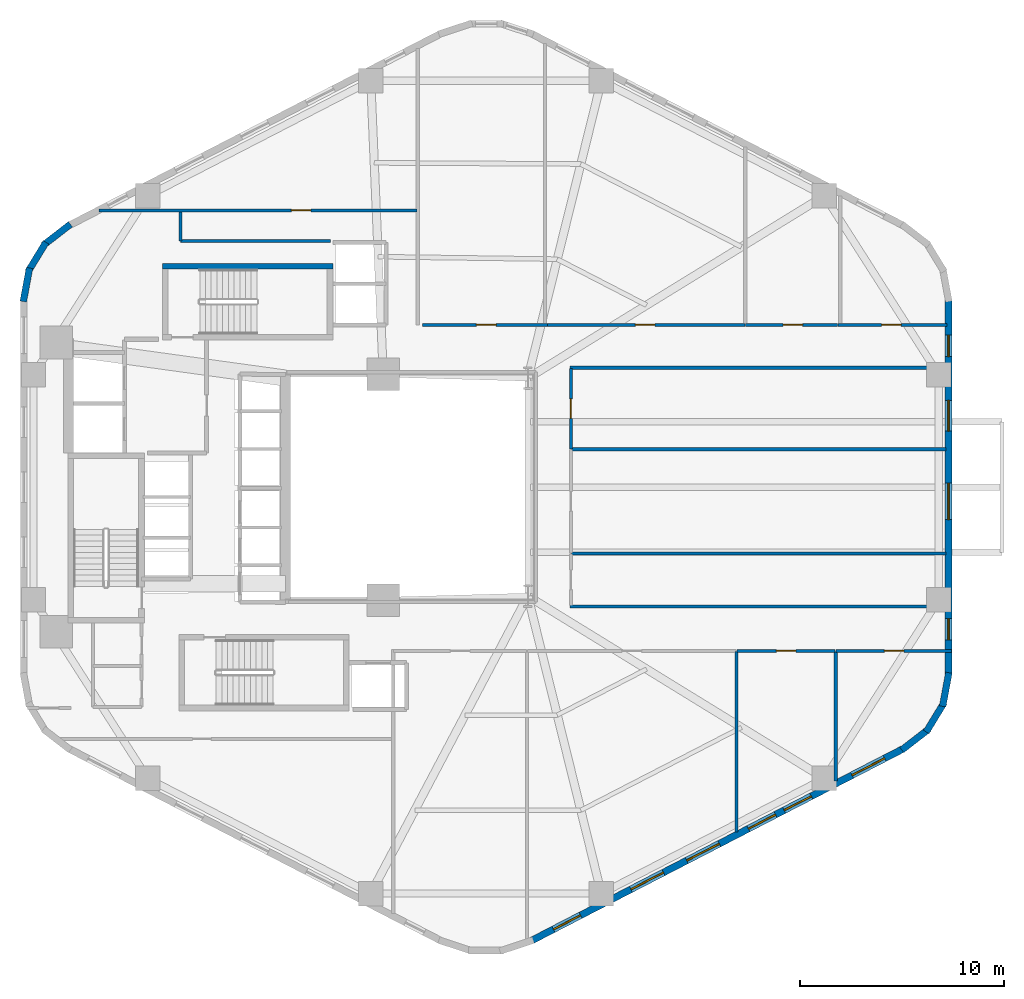
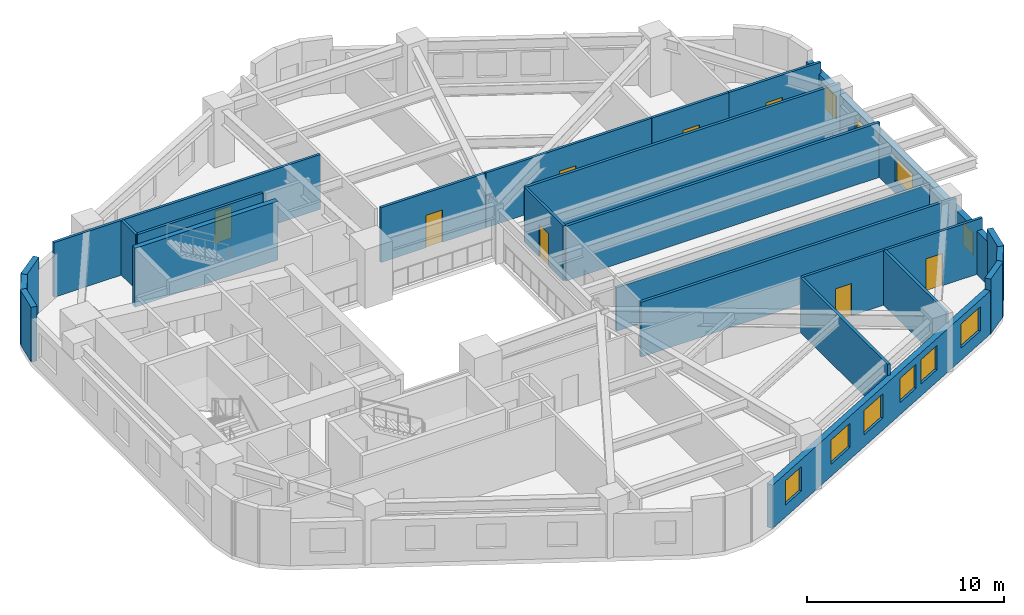
# One storey, part 4 of 6: 25 walls, 10 windows, 8 doors, 18 openings.
"""IFC4 building model written with IfcOpenShell, lengths in metres."""

from ifc_helpers import new_model, si_unit, direction, frame, frame_2d, origin, place, context, subcontext, project, spatial, rectangle, extrude, material, layer, layer_set, type_object, element, fill, save


model = new_model("IFC4")

# Units and contexts
model_context = context("Model", 3, precision=1e-05, world=origin(), true_north=direction((0.0, 1.0)))
body_context = subcontext(model_context, "Body", "Model", "MODEL_VIEW")
ifc_project = project(units=[si_unit("LENGTHUNIT", "METRE"), si_unit("AREAUNIT", "SQUARE_METRE"), si_unit("VOLUMEUNIT", "CUBIC_METRE"), si_unit("PLANEANGLEUNIT", "RADIAN"), si_unit("MASSUNIT", "GRAM", prefix="KILO"), si_unit("THERMODYNAMICTEMPERATUREUNIT", "KELVIN"), si_unit("POWERUNIT", "WATT")], contexts=[model_context])

# Site, building, storey
site_placement = place(None, origin())
site = spatial("IfcSite", under=ifc_project, at=site_placement, CompositionType="ELEMENT")
building_placement = place(site_placement, origin())
building = spatial("IfcBuilding", under=site, at=building_placement, Name="Skarre Station Tower", CompositionType="ELEMENT")
storey_placement = place(building_placement, frame((0.0, 0.0, 67.14990234375)))
storey = spatial("IfcBuildingStorey", under=building, at=storey_placement, Name="L17", CompositionType="ELEMENT", Elevation=67.14990234375)

# Wall, opening, door
ifc_material_1 = material(Name="Acoustic Steel-Stud Gypsum Partition", Category="steel")
ifc_layer_1 = layer(ifc_material_1, 0.14990234375, Name="Acoustic Steel-Stud Gypsum Partition")
ifc_layer_set_1 = layer_set([ifc_layer_1], Name="Acoustic Steel-Stud Gypsum Partition")
wall_type_1 = type_object("IfcWallType", Name="Fire-Rated Corridor Acoustic Partition 150", PredefinedType="PARTITIONING", material=ifc_layer_set_1)
wall_1_placement = place(storey_placement, frame((34.0, 37.580078125, 0.0), z_axis=(0.0, 0.0, 1.0), x_axis=(-1.0, 0.0, 0.0)))
wall_1 = element("IfcWall", 1, at=wall_1_placement, inside=storey, type_object=wall_type_1, Name="L17 Interior Partition WL-PT-L17-NWW1-CW", PredefinedType="PARTITIONING", context=body_context, shape_type="SweptSolid", body=[
    extrude(rectangle(XDim=15.60009765625, YDim=0.14990234375, at=frame_2d((7.800048828125, 0.0))), origin(), (0.0, 0.0, 1.0), 3.39013671875),
])
opening_1_placement = place(wall_1_placement, frame((5.195068359375, 0.0, 0.0)))
opening_1 = element("IfcOpeningElement", 2, at=opening_1_placement, cuts=wall_1, Name="Opening DR-FD60", PredefinedType="OPENING", context=body_context, shape_type="SweptSolid", body=[
    extrude(rectangle(XDim=0.9599609375, YDim=2.0, at=frame_2d((0.47998046875, 1.0))), frame((0.0, 0.0849609375, 0.0), z_axis=(0.0, -1.0, 0.0), x_axis=(1.0, 0.0, 0.0)), (0.0, 0.0, 1.0), 0.169921875),
])
ifc_material_2 = material(Name="Nordic White-Oak Veneer Solid-Core Fire Leaf", Category="wood")
door_type = type_object("IfcDoorType", Name="Corridor Suite Entry Fire Door FD60 960x2150", OperationType="SINGLE_SWING_LEFT", PredefinedType="DOOR", material=ifc_material_2)
door_1_placement = place(opening_1_placement, origin())
door_1 = element("IfcDoor", 3, at=door_1_placement, inside=storey, type_object=door_type, Name="L17 NWW1 Entry Door", OperationType="SINGLE_SWING_LEFT", OverallHeight=2.0, OverallWidth=0.9599609375, PredefinedType="DOOR", context=body_context, shape_type="SweptSolid", body=[
    extrude(rectangle(XDim=0.9599609375, YDim=2.0, at=frame_2d((0.47998046875, 1.0))), frame((0.0, 0.02490234375, 0.0), z_axis=(0.0, -1.0, 0.0), x_axis=(1.0, 0.0, 0.0)), (0.0, 0.0, 1.0), 0.050048828125),
])
fill(opening_1, door_1)

wall_2_placement = place(storey_placement, frame((40.412109375, 31.9599609375, 0.0), z_axis=(0.0, 0.0, 1.0), x_axis=(-1.0, 0.0, 0.0)))
wall_2 = element("IfcWall", 4, at=wall_2_placement, inside=storey, type_object=wall_type_1, Name="L17 Interior Partition WL-PT-L17-NW1-CW", PredefinedType="PARTITIONING", context=body_context, shape_type="SweptSolid", body=[
    extrude(rectangle(XDim=6.1220703125, YDim=0.14990234375, at=frame_2d((3.06103515625, 0.0))), origin(), (0.0, 0.0, 1.0), 3.39013671875),
])
opening_2_placement = place(wall_2_placement, frame((2.52392578125, 0.0, 0.0)))
opening_2 = element("IfcOpeningElement", 5, at=opening_2_placement, cuts=wall_2, Name="Opening DR-FD60", PredefinedType="OPENING", context=body_context, shape_type="SweptSolid", body=[
    extrude(rectangle(XDim=0.9599609375, YDim=2.0, at=frame_2d((0.47998046875, 1.0))), frame((0.0, 0.0849609375, 0.0), z_axis=(0.0, -1.0, 0.0), x_axis=(1.0, 0.0, 0.0)), (0.0, 0.0, 1.0), 0.169921875),
])
door_2_placement = place(opening_2_placement, origin())
door_2 = element("IfcDoor", 6, at=door_2_placement, inside=storey, type_object=door_type, Name="L17 NW1 Entry Door", OperationType="SINGLE_SWING_LEFT", OverallHeight=2.0, OverallWidth=0.9599609375, PredefinedType="DOOR", context=body_context, shape_type="SweptSolid", body=[
    extrude(rectangle(XDim=0.9599609375, YDim=2.0, at=frame_2d((0.47998046875, 1.0))), frame((0.0, 0.02490234375, 0.0), z_axis=(0.0, -1.0, 0.0), x_axis=(1.0, 0.0, 0.0)), (0.0, 0.0, 1.0), 0.050048828125),
])
fill(opening_2, door_2)

wall_3_placement = place(storey_placement, frame((50.111083984375, 31.9599609375, 0.0), z_axis=(0.0, 0.0, 1.0), x_axis=(-1.0, 0.0, 0.0)))
wall_3 = element("IfcWall", 7, at=wall_3_placement, inside=storey, type_object=wall_type_1, Name="L17 Interior Partition WL-PT-L17-NW2-CW", PredefinedType="PARTITIONING", context=body_context, shape_type="SweptSolid", body=[
    extrude(rectangle(XDim=9.68896484375, YDim=0.14990234375, at=frame_2d((4.844482421875, 0.0))), origin(), (0.0, 0.0, 1.0), 3.39013671875),
])
opening_3_placement = place(wall_3_placement, frame((4.422119140625, 0.0, 0.0)))
opening_3 = element("IfcOpeningElement", 8, at=opening_3_placement, cuts=wall_3, Name="Opening DR-FD60", PredefinedType="OPENING", context=body_context, shape_type="SweptSolid", body=[
    extrude(rectangle(XDim=0.9599609375, YDim=2.0, at=frame_2d((0.47998046875, 1.0))), frame((0.0, 0.0849609375, 0.0), z_axis=(0.0, -1.0, 0.0), x_axis=(1.0, 0.0, 0.0)), (0.0, 0.0, 1.0), 0.169921875),
])
door_3_placement = place(opening_3_placement, origin())
door_3 = element("IfcDoor", 9, at=door_3_placement, inside=storey, type_object=door_type, Name="L17 NW2 Entry Door", OperationType="SINGLE_SWING_LEFT", OverallHeight=2.0, OverallWidth=0.9599609375, PredefinedType="DOOR", context=body_context, shape_type="SweptSolid", body=[
    extrude(rectangle(XDim=0.9599609375, YDim=2.0, at=frame_2d((0.47998046875, 1.0))), frame((0.0, 0.02490234375, 0.0), z_axis=(0.0, -1.0, 0.0), x_axis=(1.0, 0.0, 0.0)), (0.0, 0.0, 1.0), 0.050048828125),
])
fill(opening_3, door_3)

wall_4_placement = place(storey_placement, frame((54.656005859375, 31.9599609375, 0.0), z_axis=(0.0, 0.0, 1.0), x_axis=(-1.0, 0.0, 0.0)))
wall_4 = element("IfcWall", 10, at=wall_4_placement, inside=storey, type_object=wall_type_1, Name="L17 Interior Partition WL-PT-L17-NW3-CW", PredefinedType="PARTITIONING", context=body_context, shape_type="SweptSolid", body=[
    extrude(rectangle(XDim=4.512939453125, YDim=0.14990234375, at=frame_2d((2.25634765625, 0.0))), origin(), (0.0, 0.0, 1.0), 3.39013671875),
])
opening_4_placement = place(wall_4_placement, frame((1.719970703125, 0.0, 0.0)))
opening_4 = element("IfcOpeningElement", 11, at=opening_4_placement, cuts=wall_4, Name="Opening DR-FD60", PredefinedType="OPENING", context=body_context, shape_type="SweptSolid", body=[
    extrude(rectangle(XDim=0.9599609375, YDim=2.0, at=frame_2d((0.47998046875, 1.0))), frame((0.0, 0.0849609375, 0.0), z_axis=(0.0, -1.0, 0.0), x_axis=(1.0, 0.0, 0.0)), (0.0, 0.0, 1.0), 0.169921875),
])
door_4_placement = place(opening_4_placement, origin())
door_4 = element("IfcDoor", 12, at=door_4_placement, inside=storey, type_object=door_type, Name="L17 NW3 Entry Door", OperationType="SINGLE_SWING_LEFT", OverallHeight=2.0, OverallWidth=0.9599609375, PredefinedType="DOOR", context=body_context, shape_type="SweptSolid", body=[
    extrude(rectangle(XDim=0.9599609375, YDim=2.0, at=frame_2d((0.47998046875, 1.0))), frame((0.0, 0.02490234375, 0.0), z_axis=(0.0, -1.0, 0.0), x_axis=(1.0, 0.0, 0.0)), (0.0, 0.0, 1.0), 0.050048828125),
])
fill(opening_4, door_4)

wall_5_placement = place(storey_placement, frame((60.031982421875, 31.9599609375, 0.0), z_axis=(0.0, 0.0, 1.0), x_axis=(-1.0, 0.0, 0.0)))
wall_5 = element("IfcWall", 13, at=wall_5_placement, inside=storey, type_object=wall_type_1, Name="L17 Interior Partition WL-PT-L17-NW4-CW", PredefinedType="PARTITIONING", context=body_context, shape_type="SweptSolid", body=[
    extrude(rectangle(XDim=5.365966796875, YDim=0.14990234375, at=frame_2d((2.68310546875, 0.0))), origin(), (0.0, 0.0, 1.0), 3.39013671875),
])
opening_5_placement = place(wall_5_placement, frame((2.260009765625, 0.0, 0.0)))
opening_5 = element("IfcOpeningElement", 14, at=opening_5_placement, cuts=wall_5, Name="Opening DR-FD60", PredefinedType="OPENING", context=body_context, shape_type="SweptSolid", body=[
    extrude(rectangle(XDim=0.9599609375, YDim=2.0, at=frame_2d((0.47998046875, 1.0))), frame((0.0, 0.0849609375, 0.0), z_axis=(0.0, -1.0, 0.0), x_axis=(1.0, 0.0, 0.0)), (0.0, 0.0, 1.0), 0.169921875),
])
door_5_placement = place(opening_5_placement, origin())
door_5 = element("IfcDoor", 15, at=door_5_placement, inside=storey, type_object=door_type, Name="L17 NW4 Entry Door", OperationType="SINGLE_SWING_LEFT", OverallHeight=2.0, OverallWidth=0.9599609375, PredefinedType="DOOR", context=body_context, shape_type="SweptSolid", body=[
    extrude(rectangle(XDim=0.9599609375, YDim=2.0, at=frame_2d((0.47998046875, 1.0))), frame((0.0, 0.02490234375, 0.0), z_axis=(0.0, -1.0, 0.0), x_axis=(1.0, 0.0, 0.0)), (0.0, 0.0, 1.0), 0.050048828125),
])
fill(opening_5, door_5)

wall_6_placement = place(storey_placement, frame((41.56005859375, 25.8798828125, 0.0), z_axis=(0.0, 0.0, 1.0), x_axis=(0.0, 1.0, 0.0)))
wall_6 = element("IfcWall", 16, at=wall_6_placement, inside=storey, type_object=wall_type_1, Name="L17 Interior Partition WL-PT-L17-EW3-CW", PredefinedType="PARTITIONING", context=body_context, shape_type="SweptSolid", body=[
    extrude(rectangle(XDim=3.940185546875, YDim=0.14990234375, at=frame_2d((1.97021484375, 0.0))), origin(), (0.0, 0.0, 1.0), 3.39013671875),
])
opening_6_placement = place(wall_6_placement, frame((1.489990234375, 0.0, 0.0)))
opening_6 = element("IfcOpeningElement", 17, at=opening_6_placement, cuts=wall_6, Name="Opening DR-FD60", PredefinedType="OPENING", context=body_context, shape_type="SweptSolid", body=[
    extrude(rectangle(XDim=0.9599609375, YDim=2.0, at=frame_2d((0.47998046875, 1.0))), frame((0.0, 0.0849609375, 0.0), z_axis=(0.0, -1.0, 0.0), x_axis=(1.0, 0.0, 0.0)), (0.0, 0.0, 1.0), 0.169921875),
])
door_6_placement = place(opening_6_placement, origin())
door_6 = element("IfcDoor", 18, at=door_6_placement, inside=storey, type_object=door_type, Name="L17 EW3 Entry Door", OperationType="SINGLE_SWING_LEFT", OverallHeight=2.0, OverallWidth=0.9599609375, PredefinedType="DOOR", context=body_context, shape_type="SweptSolid", body=[
    extrude(rectangle(XDim=0.9599609375, YDim=2.0, at=frame_2d((0.47998046875, 1.0))), frame((0.0, 0.02490234375, 0.0), z_axis=(0.0, -1.0, 0.0), x_axis=(1.0, 0.0, 0.0)), (0.0, 0.0, 1.0), 0.050048828125),
])
fill(opening_6, door_6)

wall_7_placement = place(storey_placement, frame((49.705078125, 15.9599609375, 0.0), z_axis=(0.0, 0.0, 1.0), x_axis=(1.0, 0.0, 0.0)))
wall_7 = element("IfcWall", 19, at=wall_7_placement, inside=storey, type_object=wall_type_1, Name="L17 Interior Partition WL-PT-L17-SW3-CW", PredefinedType="PARTITIONING", context=body_context, shape_type="SweptSolid", body=[
    extrude(rectangle(XDim=4.830810546875, YDim=0.14990234375, at=frame_2d((2.41552734375, 0.0))), origin(), (0.0, 0.0, 1.0), 3.39013671875),
])
opening_7_placement = place(wall_7_placement, frame((1.93603515625, 0.0, 0.0)))
opening_7 = element("IfcOpeningElement", 20, at=opening_7_placement, cuts=wall_7, Name="Opening DR-FD60", PredefinedType="OPENING", context=body_context, shape_type="SweptSolid", body=[
    extrude(rectangle(XDim=0.9599609375, YDim=2.0, at=frame_2d((0.47998046875, 1.0))), frame((0.0, 0.0849609375, 0.0), z_axis=(0.0, -1.0, 0.0), x_axis=(1.0, 0.0, 0.0)), (0.0, 0.0, 1.0), 0.169921875),
])
door_7_placement = place(opening_7_placement, origin())
door_7 = element("IfcDoor", 21, at=door_7_placement, inside=storey, type_object=door_type, Name="L17 SW3 Entry Door", OperationType="SINGLE_SWING_LEFT", OverallHeight=2.0, OverallWidth=0.9599609375, PredefinedType="DOOR", context=body_context, shape_type="SweptSolid", body=[
    extrude(rectangle(XDim=0.9599609375, YDim=2.0, at=frame_2d((0.47998046875, 1.0))), frame((0.0, 0.02490234375, 0.0), z_axis=(0.0, -1.0, 0.0), x_axis=(1.0, 0.0, 0.0)), (0.0, 0.0, 1.0), 0.050048828125),
])
fill(opening_7, door_7)

wall_8_placement = place(storey_placement, frame((54.572021484375, 15.9599609375, 0.0), z_axis=(0.0, 0.0, 1.0), x_axis=(1.0, 0.0, 0.0)))
wall_8 = element("IfcWall", 22, at=wall_8_placement, inside=storey, type_object=wall_type_1, Name="L17 Interior Partition WL-PT-L17-SW4-CW", PredefinedType="PARTITIONING", context=body_context, shape_type="SweptSolid", body=[
    extrude(rectangle(XDim=5.680908203125, YDim=0.14990234375, at=frame_2d((2.84033203125, 0.0))), origin(), (0.0, 0.0, 1.0), 3.39013671875),
])
opening_8_placement = place(wall_8_placement, frame((2.3740234375, 0.0, 0.0)))
opening_8 = element("IfcOpeningElement", 23, at=opening_8_placement, cuts=wall_8, Name="Opening DR-FD60", PredefinedType="OPENING", context=body_context, shape_type="SweptSolid", body=[
    extrude(rectangle(XDim=0.9599609375, YDim=2.0, at=frame_2d((0.47998046875, 1.0))), frame((0.0, 0.0849609375, 0.0), z_axis=(0.0, -1.0, 0.0), x_axis=(1.0, 0.0, 0.0)), (0.0, 0.0, 1.0), 0.169921875),
])
door_8_placement = place(opening_8_placement, origin())
door_8 = element("IfcDoor", 24, at=door_8_placement, inside=storey, type_object=door_type, Name="L17 SW4 Entry Door", OperationType="SINGLE_SWING_LEFT", OverallHeight=2.0, OverallWidth=0.9599609375, PredefinedType="DOOR", context=body_context, shape_type="SweptSolid", body=[
    extrude(rectangle(XDim=0.9599609375, YDim=2.0, at=frame_2d((0.47998046875, 1.0))), frame((0.0, 0.02490234375, 0.0), z_axis=(0.0, -1.0, 0.0), x_axis=(1.0, 0.0, 0.0)), (0.0, 0.0, 1.0), 0.050048828125),
])
fill(opening_8, door_8)

# Walls
wall_9_placement = place(storey_placement, frame((29.7529296875, 36.080078125, 0.0), z_axis=(0.0, 0.0, 1.0), x_axis=(-1.0, 0.0, 0.0)))
element("IfcWall", 25, at=wall_9_placement, inside=storey, type_object=wall_type_1, Name="L17 Interior Partition WL-PT-L17-CSEAL-1", PredefinedType="PARTITIONING", context=body_context, shape_type="SweptSolid", body=[
    extrude(rectangle(XDim=7.35302734375, YDim=0.14990234375, at=frame_2d((3.676513671875, 0.0))), origin(), (0.0, 0.0, 1.0), 3.39013671875),
])
wall_10_placement = place(storey_placement, frame((22.39990234375, 36.080078125, 0.0), z_axis=(0.0, 0.0, 1.0), x_axis=(0.0, 1.0, 0.0)))
element("IfcWall", 26, at=wall_10_placement, inside=storey, type_object=wall_type_1, Name="L17 Interior Partition WL-PT-L17-CSEAL-2", PredefinedType="PARTITIONING", context=body_context, shape_type="SweptSolid", body=[
    extrude(rectangle(XDim=1.429931640625, YDim=0.14990234375, at=frame_2d((0.71484375, 0.0))), origin(), (0.0, 0.0, 1.0), 3.39013671875),
])

# Wall, openings, windows
ifc_material_3 = material(Name="Precast concrete C45/55", Category="concrete")
ifc_layer_2 = layer(ifc_material_3, 0.340087890625, Name="Precast concrete C45/55")
ifc_layer_set_2 = layer_set([ifc_layer_2], Name="Precast concrete C45/55")
wall_type_2 = type_object("IfcWallType", Name="Nordic Honed Precast Facet Wall 340", PredefinedType="STANDARD", material=ifc_layer_set_2)
wall_11_placement = place(storey_placement, frame((57.8759765625, 11.158935546875, 0.0), z_axis=(0.0, 0.0, 1.0), x_axis=(-0.888634413993, -0.458616264721, 0.0)))
wall_11 = element("IfcWall", 27, at=wall_11_placement, inside=storey, type_object=wall_type_2, Name="L17 Facet 4 Nordic Precast Masonry Wall", PredefinedType="STANDARD", context=body_context, shape_type="SweptSolid", body=[
    extrude(rectangle(XDim=20.53125, YDim=0.340087890625, at=frame_2d((10.265625, 0.0))), origin(), (0.0, 0.0, 1.0), 2.68408203125),
])
opening_9_placement = place(wall_11_placement, frame((1.031982421875, 0.0, 0.75)))
opening_9 = element("IfcOpeningElement", 28, at=opening_9_placement, cuts=wall_11, Name="Opening WN-Z1A", PredefinedType="OPENING", context=body_context, shape_type="SweptSolid", body=[
    extrude(rectangle(XDim=1.800048828125, YDim=1.5, at=frame_2d((0.89990234375, 0.75))), frame((0.0, 0.179931640625, 0.0), z_axis=(0.0, -1.0, 0.0), x_axis=(1.0, 0.0, 0.0)), (0.0, 0.0, 1.0), 0.360107421875),
])
opening_10_placement = place(wall_11_placement, frame((5.08203125, 0.0, 0.75)))
opening_10 = element("IfcOpeningElement", 29, at=opening_10_placement, cuts=wall_11, Name="Opening WN-Z1B", PredefinedType="OPENING", context=body_context, shape_type="SweptSolid", body=[
    extrude(rectangle(XDim=1.5, YDim=1.5, at=frame_2d((0.75, 0.75))), frame((0.0, 0.179931640625, 0.0), z_axis=(0.0, -1.0, 0.0), x_axis=(1.0, 0.0, 0.0)), (0.0, 0.0, 1.0), 0.360107421875),
])
opening_11_placement = place(wall_11_placement, frame((7.054931640625, 0.0, 0.75)))
opening_11 = element("IfcOpeningElement", 30, at=opening_11_placement, cuts=wall_11, Name="Opening WN-Z1B", PredefinedType="OPENING", context=body_context, shape_type="SweptSolid", body=[
    extrude(rectangle(XDim=1.5, YDim=1.5, at=frame_2d((0.75, 0.75))), frame((0.0, 0.179931640625, 0.0), z_axis=(0.0, -1.0, 0.0), x_axis=(1.0, 0.0, 0.0)), (0.0, 0.0, 1.0), 0.360107421875),
])
opening_12_placement = place(wall_11_placement, frame((10.157958984375, 0.0, 0.75)))
opening_12 = element("IfcOpeningElement", 31, at=opening_12_placement, cuts=wall_11, Name="Opening WN-Z1A", PredefinedType="OPENING", context=body_context, shape_type="SweptSolid", body=[
    extrude(rectangle(XDim=1.800048828125, YDim=1.5, at=frame_2d((0.89990234375, 0.75))), frame((0.0, 0.179931640625, 0.0), z_axis=(0.0, -1.0, 0.0), x_axis=(1.0, 0.0, 0.0)), (0.0, 0.0, 1.0), 0.360107421875),
])
opening_13_placement = place(wall_11_placement, frame((13.242919921875, 0.0, 0.75)))
opening_13 = element("IfcOpeningElement", 32, at=opening_13_placement, cuts=wall_11, Name="Opening WN-Z1A", PredefinedType="OPENING", context=body_context, shape_type="SweptSolid", body=[
    extrude(rectangle(XDim=1.800048828125, YDim=1.5, at=frame_2d((0.89990234375, 0.75))), frame((0.0, 0.179931640625, 0.0), z_axis=(0.0, -1.0, 0.0), x_axis=(1.0, 0.0, 0.0)), (0.0, 0.0, 1.0), 0.360107421875),
])
opening_14_placement = place(wall_11_placement, frame((17.822998046875, 0.0, 0.75)))
opening_14 = element("IfcOpeningElement", 33, at=opening_14_placement, cuts=wall_11, Name="Opening WN-Z1B", PredefinedType="OPENING", context=body_context, shape_type="SweptSolid", body=[
    extrude(rectangle(XDim=1.5, YDim=1.5, at=frame_2d((0.75, 0.75))), frame((0.0, 0.179931640625, 0.0), z_axis=(0.0, -1.0, 0.0), x_axis=(1.0, 0.0, 0.0)), (0.0, 0.0, 1.0), 0.360107421875),
])
ifc_material_4 = material(Name="Low-Iron Triple Glazing with Bronze Anodized Frame", Category="glass")
window_type_1 = type_object("IfcWindowType", Name="Nordic Punched Triple-Glazed Window 1500x1500", PartitioningType="SINGLE_PANEL", PredefinedType="WINDOW", material=ifc_material_4)
window_1_placement = place(opening_10_placement, origin())
window_1 = element("IfcWindow", 34, at=window_1_placement, inside=storey, type_object=window_type_1, Name="L17 Facade Window WL-FAC-L17-F4-2", OverallHeight=1.5, OverallWidth=1.5, PartitioningType="SINGLE_PANEL", PredefinedType="WINDOW", context=body_context, shape_type="SweptSolid", body=[
    extrude(rectangle(XDim=1.5, YDim=1.5, at=frame_2d((0.75, 0.75))), frame((0.0, 0.030029296875, 0.0), z_axis=(0.0, -1.0, 0.0), x_axis=(1.0, 0.0, 0.0)), (0.0, 0.0, 1.0), 0.06005859375),
])
fill(opening_10, window_1)
window_2_placement = place(opening_11_placement, origin())
window_2 = element("IfcWindow", 35, at=window_2_placement, inside=storey, type_object=window_type_1, Name="L17 Facade Window WL-FAC-L17-F4-3", OverallHeight=1.5, OverallWidth=1.5, PartitioningType="SINGLE_PANEL", PredefinedType="WINDOW", context=body_context, shape_type="SweptSolid", body=[
    extrude(rectangle(XDim=1.5, YDim=1.5, at=frame_2d((0.75, 0.75))), frame((0.0, 0.030029296875, 0.0), z_axis=(0.0, -1.0, 0.0), x_axis=(1.0, 0.0, 0.0)), (0.0, 0.0, 1.0), 0.06005859375),
])
fill(opening_11, window_2)
window_3_placement = place(opening_14_placement, origin())
window_3 = element("IfcWindow", 36, at=window_3_placement, inside=storey, type_object=window_type_1, Name="L17 Facade Window WL-FAC-L17-F4-6", OverallHeight=1.5, OverallWidth=1.5, PartitioningType="SINGLE_PANEL", PredefinedType="WINDOW", context=body_context, shape_type="SweptSolid", body=[
    extrude(rectangle(XDim=1.5, YDim=1.5, at=frame_2d((0.75, 0.75))), frame((0.0, 0.030029296875, 0.0), z_axis=(0.0, -1.0, 0.0), x_axis=(1.0, 0.0, 0.0)), (0.0, 0.0, 1.0), 0.06005859375),
])
fill(opening_14, window_3)
window_type_2 = type_object("IfcWindowType", Name="Nordic Punched Triple-Glazed Window 1800x1500", PartitioningType="SINGLE_PANEL", PredefinedType="WINDOW", material=ifc_material_4)
window_4_placement = place(opening_9_placement, origin())
window_4 = element("IfcWindow", 37, at=window_4_placement, inside=storey, type_object=window_type_2, Name="L17 Facade Window WL-FAC-L17-F4-1", OverallHeight=1.5, OverallWidth=1.800048828125, PartitioningType="SINGLE_PANEL", PredefinedType="WINDOW", context=body_context, shape_type="SweptSolid", body=[
    extrude(rectangle(XDim=1.800048828125, YDim=1.5, at=frame_2d((0.89990234375, 0.75))), frame((0.0, 0.030029296875, 0.0), z_axis=(0.0, -1.0, 0.0), x_axis=(1.0, 0.0, 0.0)), (0.0, 0.0, 1.0), 0.06005859375),
])
fill(opening_9, window_4)
window_5_placement = place(opening_12_placement, origin())
window_5 = element("IfcWindow", 38, at=window_5_placement, inside=storey, type_object=window_type_2, Name="L17 Facade Window WL-FAC-L17-F4-4", OverallHeight=1.5, OverallWidth=1.800048828125, PartitioningType="SINGLE_PANEL", PredefinedType="WINDOW", context=body_context, shape_type="SweptSolid", body=[
    extrude(rectangle(XDim=1.800048828125, YDim=1.5, at=frame_2d((0.89990234375, 0.75))), frame((0.0, 0.030029296875, 0.0), z_axis=(0.0, -1.0, 0.0), x_axis=(1.0, 0.0, 0.0)), (0.0, 0.0, 1.0), 0.06005859375),
])
fill(opening_12, window_5)
window_6_placement = place(opening_13_placement, origin())
window_6 = element("IfcWindow", 39, at=window_6_placement, inside=storey, type_object=window_type_2, Name="L17 Facade Window WL-FAC-L17-F4-5", OverallHeight=1.5, OverallWidth=1.800048828125, PartitioningType="SINGLE_PANEL", PredefinedType="WINDOW", context=body_context, shape_type="SweptSolid", body=[
    extrude(rectangle(XDim=1.800048828125, YDim=1.5, at=frame_2d((0.89990234375, 0.75))), frame((0.0, 0.030029296875, 0.0), z_axis=(0.0, -1.0, 0.0), x_axis=(1.0, 0.0, 0.0)), (0.0, 0.0, 1.0), 0.06005859375),
])
fill(opening_13, window_6)

wall_12_placement = place(storey_placement, frame((60.093017578125, 33.201904296875, 0.0), z_axis=(0.0, 0.0, 1.0), x_axis=(0.0, -1.0, 0.0)))
wall_12 = element("IfcWall", 40, at=wall_12_placement, inside=storey, type_object=wall_type_2, Name="L17 Facet 5 Nordic Precast Masonry Wall", PredefinedType="STANDARD", context=body_context, shape_type="SweptSolid", body=[
    extrude(rectangle(XDim=18.40380859375, YDim=0.340087890625, at=frame_2d((9.201904296875, 0.0))), origin(), (0.0, 0.0, 1.0), 2.68408203125),
])
opening_15_placement = place(wall_12_placement, frame((1.743896484375, 0.0, 0.75)))
opening_15 = element("IfcOpeningElement", 41, at=opening_15_placement, cuts=wall_12, Name="Opening WN-SLT", PredefinedType="OPENING", context=body_context, shape_type="SweptSolid", body=[
    extrude(rectangle(XDim=1.050048828125, YDim=1.39990234375, at=frame_2d((0.52490234375, 0.699951171875))), frame((0.0, 0.179931640625, 0.0), z_axis=(0.0, -1.0, 0.0), x_axis=(1.0, 0.0, 0.0)), (0.0, 0.0, 1.0), 0.360107421875),
])
opening_16_placement = place(wall_12_placement, frame((4.948974609375, 0.0, 0.75)))
opening_16 = element("IfcOpeningElement", 42, at=opening_16_placement, cuts=wall_12, Name="Opening WN-Z1B", PredefinedType="OPENING", context=body_context, shape_type="SweptSolid", body=[
    extrude(rectangle(XDim=1.5, YDim=1.5, at=frame_2d((0.75, 0.75))), frame((0.0, 0.179931640625, 0.0), z_axis=(0.0, -1.0, 0.0), x_axis=(1.0, 0.0, 0.0)), (0.0, 0.0, 1.0), 0.360107421875),
])
opening_17_placement = place(wall_12_placement, frame((9.0, 0.0, 0.75)))
opening_17 = element("IfcOpeningElement", 43, at=opening_17_placement, cuts=wall_12, Name="Opening WN-Z1A", PredefinedType="OPENING", context=body_context, shape_type="SweptSolid", body=[
    extrude(rectangle(XDim=1.800048828125, YDim=1.5, at=frame_2d((0.89990234375, 0.75))), frame((0.0, 0.179931640625, 0.0), z_axis=(0.0, -1.0, 0.0), x_axis=(1.0, 0.0, 0.0)), (0.0, 0.0, 1.0), 0.360107421875),
])
opening_18_placement = place(wall_12_placement, frame((15.64990234375, 0.0, 0.75)))
opening_18 = element("IfcOpeningElement", 44, at=opening_18_placement, cuts=wall_12, Name="Opening WN-SLT", PredefinedType="OPENING", context=body_context, shape_type="SweptSolid", body=[
    extrude(rectangle(XDim=1.050048828125, YDim=1.39990234375, at=frame_2d((0.52490234375, 0.699951171875))), frame((0.0, 0.179931640625, 0.0), z_axis=(0.0, -1.0, 0.0), x_axis=(1.0, 0.0, 0.0)), (0.0, 0.0, 1.0), 0.360107421875),
])
window_type_3 = type_object("IfcWindowType", Name="Nordic Corner Slot Window 1050x1400", PartitioningType="SINGLE_PANEL", PredefinedType="WINDOW", material=ifc_material_4)
window_7_placement = place(opening_15_placement, origin())
window_7 = element("IfcWindow", 45, at=window_7_placement, inside=storey, type_object=window_type_3, Name="L17 Facade Window WL-FAC-L17-F5-1", OverallHeight=1.39990234375, OverallWidth=1.050048828125, PartitioningType="SINGLE_PANEL", PredefinedType="WINDOW", context=body_context, shape_type="SweptSolid", body=[
    extrude(rectangle(XDim=1.050048828125, YDim=1.39990234375, at=frame_2d((0.52490234375, 0.699951171875))), frame((0.0, 0.030029296875, 0.0), z_axis=(0.0, -1.0, 0.0), x_axis=(1.0, 0.0, 0.0)), (0.0, 0.0, 1.0), 0.06005859375),
])
fill(opening_15, window_7)
window_8_placement = place(opening_18_placement, origin())
window_8 = element("IfcWindow", 46, at=window_8_placement, inside=storey, type_object=window_type_3, Name="L17 Facade Window WL-FAC-L17-F5-4", OverallHeight=1.39990234375, OverallWidth=1.050048828125, PartitioningType="SINGLE_PANEL", PredefinedType="WINDOW", context=body_context, shape_type="SweptSolid", body=[
    extrude(rectangle(XDim=1.050048828125, YDim=1.39990234375, at=frame_2d((0.52490234375, 0.699951171875))), frame((0.0, 0.030029296875, 0.0), z_axis=(0.0, -1.0, 0.0), x_axis=(1.0, 0.0, 0.0)), (0.0, 0.0, 1.0), 0.06005859375),
])
fill(opening_18, window_8)
window_9_placement = place(opening_16_placement, origin())
window_9 = element("IfcWindow", 47, at=window_9_placement, inside=storey, type_object=window_type_1, Name="L17 Facade Window WL-FAC-L17-F5-2", OverallHeight=1.5, OverallWidth=1.5, PartitioningType="SINGLE_PANEL", PredefinedType="WINDOW", context=body_context, shape_type="SweptSolid", body=[
    extrude(rectangle(XDim=1.5, YDim=1.5, at=frame_2d((0.75, 0.75))), frame((0.0, 0.030029296875, 0.0), z_axis=(0.0, -1.0, 0.0), x_axis=(1.0, 0.0, 0.0)), (0.0, 0.0, 1.0), 0.06005859375),
])
fill(opening_16, window_9)
window_10_placement = place(opening_17_placement, origin())
window_10 = element("IfcWindow", 48, at=window_10_placement, inside=storey, type_object=window_type_2, Name="L17 Facade Window WL-FAC-L17-F5-3", OverallHeight=1.5, OverallWidth=1.800048828125, PartitioningType="SINGLE_PANEL", PredefinedType="WINDOW", context=body_context, shape_type="SweptSolid", body=[
    extrude(rectangle(XDim=1.800048828125, YDim=1.5, at=frame_2d((0.89990234375, 0.75))), frame((0.0, 0.030029296875, 0.0), z_axis=(0.0, -1.0, 0.0), x_axis=(1.0, 0.0, 0.0)), (0.0, 0.0, 1.0), 0.06005859375),
])
fill(opening_17, window_10)

# Walls
ifc_layer_3 = layer(ifc_material_3, 0.330078125, Name="Precast concrete C45/55")
ifc_layer_set_3 = layer_set([ifc_layer_3], Name="Precast concrete C45/55")
wall_type_3 = type_object("IfcWallType", Name="Nordic Rounded Corner Precast Wall 330", PredefinedType="STANDARD", material=ifc_layer_set_3)
wall_13_placement = place(storey_placement, frame((14.68701171875, 33.10791015625, 0.0), z_axis=(0.0, 0.0, 1.0), x_axis=(0.181714143354, 0.983351397063, 0.0)))
element("IfcWall", 49, at=wall_13_placement, inside=storey, type_object=wall_type_3, Name="L17 Rounded Corner Precast Wall F2-1", PredefinedType="STANDARD", context=body_context, shape_type="SweptSolid", body=[
    extrude(rectangle(XDim=1.677978515625, YDim=0.330078125, at=frame_2d((0.8388671875, 0.0))), origin(), (0.0, 0.0, 1.0), 3.39013671875),
])
wall_14_placement = place(storey_placement, frame((14.925048828125, 34.5830078125, 0.0), z_axis=(0.0, 0.0, 1.0), x_axis=(0.520584129191, 0.853810379671, 0.0)))
element("IfcWall", 50, at=wall_14_placement, inside=storey, type_object=wall_type_3, Name="L17 Rounded Corner Precast Wall F2-2", PredefinedType="STANDARD", context=body_context, shape_type="SweptSolid", body=[
    extrude(rectangle(XDim=1.677001953125, YDim=0.330078125, at=frame_2d((0.83837890625, 0.0))), origin(), (0.0, 0.0, 1.0), 3.39013671875),
])
wall_15_placement = place(storey_placement, frame((15.673095703125, 35.875, 0.0), z_axis=(0.0, 0.0, 1.0), x_axis=(0.790691856293, 0.61221433207, 0.0)))
element("IfcWall", 51, at=wall_15_placement, inside=storey, type_object=wall_type_3, Name="L17 Rounded Corner Precast Wall F2-3", PredefinedType="STANDARD", context=body_context, shape_type="SweptSolid", body=[
    extrude(rectangle(XDim=1.67578125, YDim=0.330078125, at=frame_2d((0.837890625, 0.0))), origin(), (0.0, 0.0, 1.0), 3.39013671875),
])
wall_16_placement = place(storey_placement, frame((60.113037109375, 14.89208984375, 0.0), z_axis=(0.0, 0.0, 1.0), x_axis=(-0.181714143354, -0.983351397063, 0.0)))
element("IfcWall", 52, at=wall_16_placement, inside=storey, type_object=wall_type_3, Name="L17 Rounded Corner Precast Wall F5-1", PredefinedType="STANDARD", context=body_context, shape_type="SweptSolid", body=[
    extrude(rectangle(XDim=1.677978515625, YDim=0.330078125, at=frame_2d((0.8388671875, 0.0))), origin(), (0.0, 0.0, 1.0), 3.39013671875),
])
wall_17_placement = place(storey_placement, frame((59.875, 13.4169921875, 0.0), z_axis=(0.0, 0.0, 1.0), x_axis=(-0.520584129191, -0.853810379671, 0.0)))
element("IfcWall", 53, at=wall_17_placement, inside=storey, type_object=wall_type_3, Name="L17 Rounded Corner Precast Wall F5-2", PredefinedType="STANDARD", context=body_context, shape_type="SweptSolid", body=[
    extrude(rectangle(XDim=1.677001953125, YDim=0.330078125, at=frame_2d((0.83837890625, 0.0))), origin(), (0.0, 0.0, 1.0), 3.39013671875),
])
wall_18_placement = place(storey_placement, frame((59.126953125, 12.125, 0.0), z_axis=(0.0, 0.0, 1.0), x_axis=(-0.790691856293, -0.61221433207, 0.0)))
element("IfcWall", 54, at=wall_18_placement, inside=storey, type_object=wall_type_3, Name="L17 Rounded Corner Precast Wall F5-3", PredefinedType="STANDARD", context=body_context, shape_type="SweptSolid", body=[
    extrude(rectangle(XDim=1.67578125, YDim=0.330078125, at=frame_2d((0.837890625, 0.0))), origin(), (0.0, 0.0, 1.0), 3.39013671875),
])
ifc_material_5 = material(Name="Concrete C50/60", Category="concrete")
ifc_layer_4 = layer(ifc_material_5, 0.280029296875, Name="Concrete C50/60")
ifc_layer_set_4 = layer_set([ifc_layer_4], Name="Concrete C50/60")
wall_type_4 = type_object("IfcWallType", Name="RC Core Shear Wall 280", PredefinedType="SHEAR", material=ifc_layer_set_4)
wall_19_placement = place(storey_placement, frame((29.8798828125, 34.840087890625, 0.0), z_axis=(0.0, 0.0, 1.0), x_axis=(-1.0, 0.0, 0.0)))
element("IfcWall", 55, at=wall_19_placement, inside=storey, type_object=wall_type_4, Name="L17 Stair ST-3 North Shear Wall", PredefinedType="SHEAR", context=body_context, shape_type="SweptSolid", body=[
    extrude(rectangle(XDim=8.35986328125, YDim=0.280029296875, at=frame_2d((4.179931640625, 0.0))), origin(), (0.0, 0.0, 1.0), 3.650146484375),
])
ifc_layer_5 = layer(ifc_material_1, 0.1650390625, Name="Acoustic Steel-Stud Gypsum Partition")
ifc_layer_set_5 = layer_set([ifc_layer_5], Name="Acoustic Steel-Stud Gypsum Partition")
wall_type_5 = type_object("IfcWallType", Name="Suite Demising Acoustic Partition 165", PredefinedType="PARTITIONING", material=ifc_layer_set_5)
for number, where, z_axis, x_axis, name in (
    (56, (41.52001953125, 18.139892578125, 0.0), (0.0, 0.0, 1.0), (1.0, 0.0, 0.0), "L17 Interior Partition WL-PT-L17-EWB-S"),
    (57, (41.52001953125, 29.860107421875, 0.0), (0.0, 0.0, 1.0), (1.0, 0.0, 0.0), "L17 Interior Partition WL-PT-L17-EWB-N"),
):
    element("IfcWall", number, at=place(storey_placement, frame(where, z_axis=z_axis, x_axis=x_axis)), inside=storey, type_object=wall_type_5, Name=name, PredefinedType="PARTITIONING", context=body_context, shape_type="SweptSolid", body=[
        extrude(rectangle(XDim=18.452880859375, YDim=0.1650390625, at=frame_2d((9.2265625, 0.0))), origin(), (0.0, 0.0, 1.0), 3.39013671875),
    ])
wall_20_placement = place(storey_placement, frame((41.590087890625, 20.740966796875, 0.0), z_axis=(0.0, 0.0, 1.0), x_axis=(1.0, 0.0, 0.0)))
element("IfcWall", 58, at=wall_20_placement, inside=storey, type_object=wall_type_5, Name="L17 Interior Partition WL-PT-L17-EW-P1", PredefinedType="PARTITIONING", context=body_context, shape_type="SweptSolid", body=[
    extrude(rectangle(XDim=18.3828125, YDim=0.1650390625, at=frame_2d((9.19140625, 0.0))), origin(), (0.0, 0.0, 1.0), 2.694091796875),
])
wall_21_placement = place(storey_placement, frame((41.590087890625, 25.862060546875, 0.0), z_axis=(0.0, 0.0, 1.0), x_axis=(1.0, 0.0, 0.0)))
element("IfcWall", 59, at=wall_21_placement, inside=storey, type_object=wall_type_5, Name="L17 Interior Partition WL-PT-L17-EW-P2", PredefinedType="PARTITIONING", context=body_context, shape_type="SweptSolid", body=[
    extrude(rectangle(XDim=18.3828125, YDim=0.1650390625, at=frame_2d((9.19140625, 0.0))), origin(), (0.0, 0.0, 1.0), 3.39013671875),
])
wall_22_placement = place(storey_placement, frame((49.68701171875, 7.068115234375, 0.0), z_axis=(0.0, 0.0, 1.0), x_axis=(0.0, 1.0, 0.0)))
element("IfcWall", 60, at=wall_22_placement, inside=storey, type_object=wall_type_5, Name="L17 Interior Partition WL-PT-L17-SW-P2", PredefinedType="PARTITIONING", context=body_context, shape_type="SweptSolid", body=[
    extrude(rectangle(XDim=8.86181640625, YDim=0.1650390625, at=frame_2d((4.430908203125, 0.0))), origin(), (0.0, 0.0, 1.0), 3.39013671875),
])
wall_23_placement = place(storey_placement, frame((54.553955078125, 9.580078125, 0.0), z_axis=(0.0, 0.0, 1.0), x_axis=(0.0, 1.0, 0.0)))
element("IfcWall", 61, at=wall_23_placement, inside=storey, type_object=wall_type_5, Name="L17 Interior Partition WL-PT-L17-SW-P3", PredefinedType="PARTITIONING", context=body_context, shape_type="SweptSolid", body=[
    extrude(rectangle(XDim=6.349853515625, YDim=0.1650390625, at=frame_2d((3.1748046875, 0.0))), origin(), (0.0, 0.0, 1.0), 3.39013671875),
])

save(model, "model.ifc")
